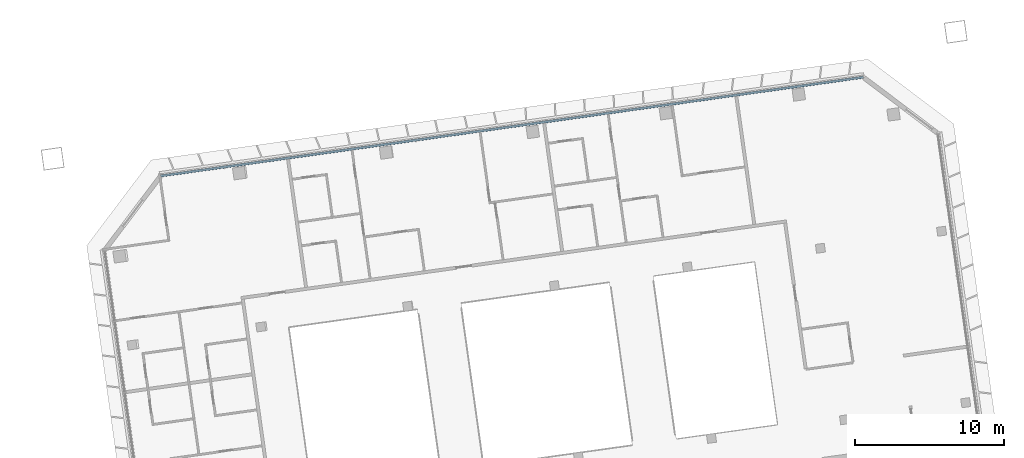
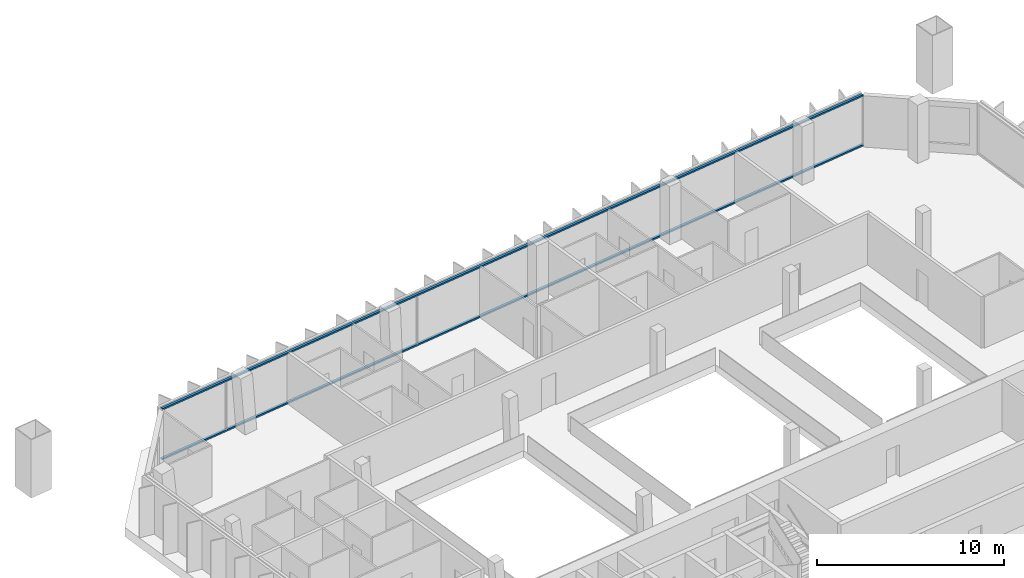
# One storey, part 10 of 23: 2 members, 1 element without a shape of its own.
"""IFC4 building model written with IfcOpenShell, lengths in metres."""

from ifc_helpers import new_model, si_unit, direction, frame, origin, origin_2d, place, context, subcontext, project, spatial, rectangle, extrude, material, material_profile, profile_set, type_object, element, aggregate, save


model = new_model("IFC4")

# Units and contexts
model_context = context("Model", 3, precision=1e-05, world=origin(), true_north=direction((0.0, 1.0)))
body_context = subcontext(model_context, "Body", "Model", "MODEL_VIEW")
ifc_project = project(units=[si_unit("LENGTHUNIT", "METRE"), si_unit("AREAUNIT", "SQUARE_METRE"), si_unit("VOLUMEUNIT", "CUBIC_METRE"), si_unit("PLANEANGLEUNIT", "RADIAN"), si_unit("MASSUNIT", "GRAM", prefix="KILO")], contexts=[model_context])

# Site, building, storey
site_placement = place(None, origin())
site = spatial("IfcSite", under=ifc_project, at=site_placement, CompositionType="ELEMENT")
building_placement = place(site_placement, origin())
building = spatial("IfcBuilding", under=site, at=building_placement, Name="Mirante Cascada Hotel Towers", CompositionType="ELEMENT")
storey_placement = place(building_placement, frame((0.0, 0.0, 199.2)))
storey = spatial("IfcBuildingStorey", under=building, at=storey_placement, Name="L47", CompositionType="ELEMENT", Elevation=199.2)

# Curtain wall, members
ifc_material_1 = material(Name="Aluminium mullion and transom frame with clear laminated glass", Category="aluminium")
curtain_wall_type = type_object("IfcCurtainWallType", Name="Ribbon curtain wall ECW1", PredefinedType="NOTDEFINED", material=ifc_material_1)
curtain_wall_placement = place(storey_placement, origin())
curtain_wall = element("IfcCurtainWall", 1, at=curtain_wall_placement, inside=storey, type_object=curtain_wall_type, Name="Front ribbon wall T2 L47", PredefinedType="NOTDEFINED")
ifc_material_2 = material(Name="Anodised aluminium extrusion", Category="aluminium")
ifc_material_profile = material_profile(ifc_material_2, rectangle(XDim=0.16, YDim=0.1, at=origin_2d()), Name="ECW1 TRANSOM 100x160")
ifc_profile_set = profile_set([ifc_material_profile], Name="Anodised aluminium extrusion")
member_type = type_object("IfcMemberType", Name="ECW1 transom 100x160", PredefinedType="USERDEFINED", material=ifc_profile_set)
member_1_placement = place(storey_placement, frame((76.3333, 23.547, 0.05), z_axis=(-0.9902679, -0.1391746, 0.0), x_axis=(0.1391746, -0.9902679, 0.0)))
member_1 = element("IfcMember", 2, at=member_1_placement, type_object=member_type, Name="ECW1 sill transom", ObjectType="TRANSOM", PredefinedType="USERDEFINED", context=body_context, shape_type="SweptSolid", body=[
    extrude(rectangle(XDim=0.16, YDim=0.1, at=origin_2d()), origin(), (0.0, 0.0, 1.0), 47.5331),
])
member_2_placement = place(storey_placement, frame((76.3333, 23.547, 3.3), z_axis=(-0.9902679, -0.1391746, 0.0), x_axis=(0.1391746, -0.9902679, 0.0)))
member_2 = element("IfcMember", 3, at=member_2_placement, type_object=member_type, Name="ECW1 head transom", ObjectType="TRANSOM", PredefinedType="USERDEFINED", context=body_context, shape_type="SweptSolid", body=[
    extrude(rectangle(XDim=0.16, YDim=0.1, at=origin_2d()), origin(), (0.0, 0.0, 1.0), 47.5331),
])
aggregate(curtain_wall, [member_1, member_2])

save(model, "model.ifc")
